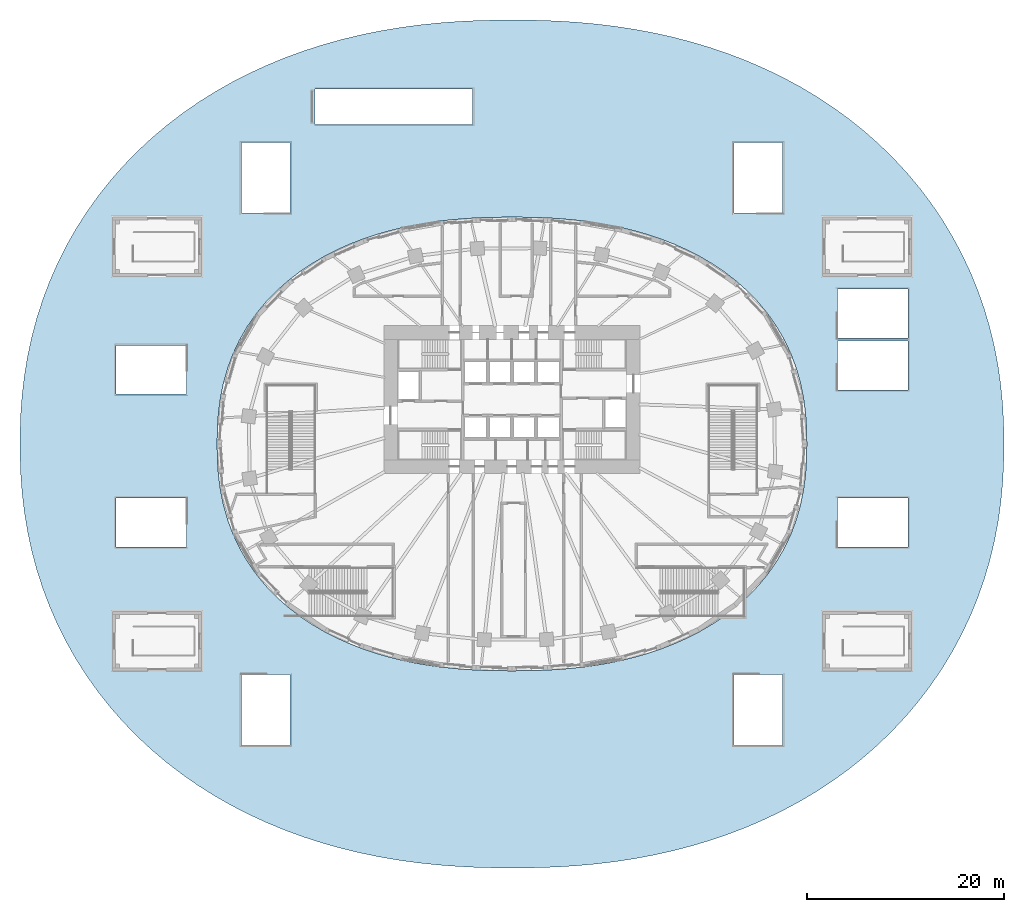
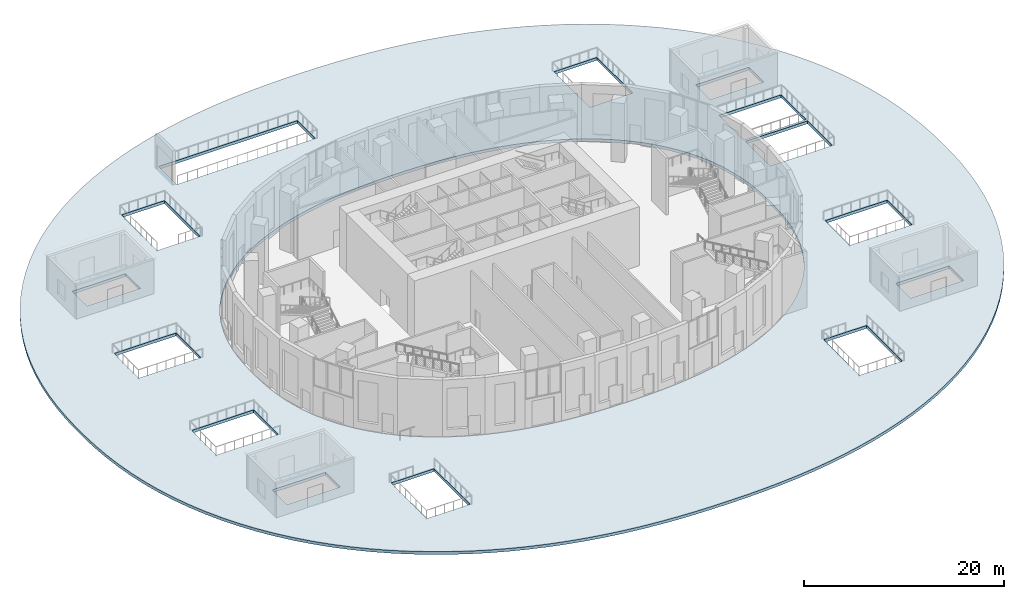
# One storey, part 9 of 27: 1 slab.
"""IFC4 building model written with IfcOpenShell, lengths in metres."""

import ifcopenshell
import ifcopenshell.guid

model = None  # the IFC model being written
_history = None  # IfcOwnerHistory: only IFC2X3 demands one
_inside = {}  # id of a spatial element -> (the spatial element, [elements in it])
_under = {}  # id of a project, library or spatial element -> (it, [spatial elements below it])
_declared = {}  # id of a project -> (the project, [libraries it declares])
_typed = {}  # id of a type object -> (the type object, [elements of that type])
_made_of = {}  # id of a material, layer set ... -> (it, [elements and type objects made of it])


def new_model(schema):
    """Start an empty IFC model of exactly this schema.

    Asked for "IFC4X3", IfcOpenShell would pick the latest addendum, in which some entities
    have other attributes; the version numbers below select the first issue.
    IFC2X3 requires an IfcOwnerHistory on every rooted entity: one is made here for all.
    """
    global model, _history
    if schema == "IFC4X3":
        model = ifcopenshell.file(schema_version=(4, 3, 0, 0))
    else:
        model = ifcopenshell.file(schema=schema)
    _inside.clear()
    _under.clear()
    _declared.clear()
    _typed.clear()
    _made_of.clear()
    _history = None
    if model.schema == "IFC2X3":
        org = make("IfcOrganization", Name="unknown")
        user = make(
            "IfcPersonAndOrganization",
            ThePerson=make("IfcPerson", FamilyName="unknown"),
            TheOrganization=org,
        )
        app = make(
            "IfcApplication",
            ApplicationDeveloper=org,
            Version="unknown",
            ApplicationFullName="unknown",
            ApplicationIdentifier="unknown",
        )
        _history = make(
            "IfcOwnerHistory",
            OwningUser=user,
            OwningApplication=app,
            ChangeAction="ADDED",
            CreationDate=0,
        )
    return model


def make(cls, **values):
    """One entity of the class cls with the attributes given. An attribute that is None is left unset."""
    return model.create_entity(
        cls, **{name: value for name, value in values.items() if value is not None}
    )


def rooted(cls, **values):
    """An entity with a GlobalId (a new one), such as an element, a storey or a relation."""
    return make(cls, GlobalId=ifcopenshell.guid.new(), OwnerHistory=_history, **values)


def si_unit(unit_type, name, prefix=None):
    """IfcSIUnit, for example si_unit("LENGTHUNIT", "METRE", prefix="MILLI")."""
    return make("IfcSIUnit", UnitType=unit_type, Prefix=prefix, Name=name)


def assignment(units):
    """IfcUnitAssignment: the units of a project."""
    return None if units is None else make("IfcUnitAssignment", Units=units)


def point(xyz):
    """IfcCartesianPoint."""
    return None if xyz is None else make("IfcCartesianPoint", Coordinates=xyz)


def direction(xyz):
    """IfcDirection."""
    return None if xyz is None else make("IfcDirection", DirectionRatios=xyz)


def frame(location, z_axis=None, x_axis=None):
    """IfcAxis2Placement3D, a coordinate frame: its origin and axes. An axis left out is left unset."""
    return make(
        "IfcAxis2Placement3D",
        Location=point(location),
        Axis=direction(z_axis),
        RefDirection=direction(x_axis),
    )


def origin():
    """The frame at (0, 0, 0) with its axes left unset."""
    return frame((0.0, 0.0, 0.0))


def place(relative_to, where):
    """IfcLocalPlacement: puts the frame where relative to a parent placement (None: the world)."""
    return make(
        "IfcLocalPlacement", PlacementRelTo=relative_to, RelativePlacement=where
    )


def context(
    kind, dimensions, precision=None, world=None, true_north=None, identifier=None
):
    """IfcGeometricRepresentationContext, for example the 3D "Model" context."""
    return make(
        "IfcGeometricRepresentationContext",
        ContextIdentifier=identifier,
        ContextType=kind,
        CoordinateSpaceDimension=dimensions,
        Precision=precision,
        WorldCoordinateSystem=world,
        TrueNorth=true_north,
    )


def subcontext(parent, identifier, kind, view, scale=None):
    """IfcGeometricRepresentationSubContext, for example "Body" below "Model"."""
    return make(
        "IfcGeometricRepresentationSubContext",
        ContextIdentifier=identifier,
        ContextType=kind,
        ParentContext=parent,
        TargetScale=scale,
        TargetView=view,
    )


def project(units=None, contexts=None):
    """IfcProject with its units and contexts."""
    return rooted(
        "IfcProject",
        Name="project",
        RepresentationContexts=contexts,
        UnitsInContext=assignment(units),
    )


def spatial(cls, under=None, at=None, **own):
    """A site, building, storey or space (cls), placed at a placement, below another one or the project."""
    s = rooted(cls, ObjectPlacement=at, **own)
    if under is not None:
        _under.setdefault(under.id(), (under, []))[1].append(s)
    return s


def polyline(points):
    """IfcPolyline through the points."""
    return make("IfcPolyline", Points=[point(p) for p in points])


def outline(outer, holes=None, kind="AREA"):
    """IfcArbitraryClosedProfileDef: a profile drawn as a closed curve; with holes, ...WithVoids."""
    if holes is None:
        return make("IfcArbitraryClosedProfileDef", ProfileType=kind, OuterCurve=outer)
    return make(
        "IfcArbitraryProfileDefWithVoids",
        ProfileType=kind,
        OuterCurve=outer,
        InnerCurves=holes,
    )


def extrude(swept, where, along, depth):
    """IfcExtrudedAreaSolid: the profile swept, set in the frame where, extruded along a direction by depth."""
    return make(
        "IfcExtrudedAreaSolid",
        SweptArea=swept,
        Position=where,
        ExtrudedDirection=direction(along),
        Depth=depth,
    )


def shape(context_of_items, identifier, shape_type, items):
    """IfcShapeRepresentation: the items that make up one representation, for example the "Body"."""
    return make(
        "IfcShapeRepresentation",
        ContextOfItems=context_of_items,
        RepresentationIdentifier=identifier,
        RepresentationType=shape_type,
        Items=items,
    )


def material(Name=None, Category=None):
    """IfcMaterial."""
    return make("IfcMaterial", Name=Name, Category=Category)


def layer(
    of_material, thickness, ventilated=None, Name=None, Category=None, Priority=None
):
    """IfcMaterialLayer: one layer of a wall or slab, of a material (None: an air gap)."""
    return make(
        "IfcMaterialLayer",
        Material=of_material,
        LayerThickness=thickness,
        IsVentilated=ventilated,
        Name=Name,
        Category=Category,
        Priority=Priority,
    )


def layer_set(layers, Name=None):
    """IfcMaterialLayerSet."""
    return make("IfcMaterialLayerSet", MaterialLayers=layers, LayerSetName=Name)


def made_of(thing, what):
    """Note that an element or type object is made of a material, layer set ...; save() writes the relation."""
    if what is not None:
        _made_of.setdefault(what.id(), (what, []))[1].append(thing)
    return thing


def type_object(cls, material=None, **own):
    """A type object (cls), such as IfcWallType, which elements share."""
    return made_of(rooted(cls, **own), material)


def element(
    cls,
    number,
    at=None,
    inside=None,
    cuts=None,
    type_object=None,
    material=None,
    context=None,
    identifier="Body",
    shape_type=None,
    held_by="IfcProductDefinitionShape",
    body=None,
    shapes=None,
    **own,
):
    """One element of the class cls, such as IfcWall. Its Tag is "e" and its number.

    at: its placement. inside: the storey or other place that contains it. cuts: it is an
    opening in that element (IfcRelVoidsElement). A single representation is given by context,
    identifier, shape_type and body (its items); several are given by shapes. held_by: the class
    of the entity that holds the representations. save() writes the other relations.
    """
    e = rooted(cls, Tag="e%d" % number, ObjectPlacement=at, **own)
    if body is not None:
        shapes = [shape(context, identifier, shape_type, body)]
    if shapes is not None:
        e.Representation = make(held_by, Representations=shapes)
    if inside is not None:
        _inside.setdefault(inside.id(), (inside, []))[1].append(e)
    if cuts is not None:
        rooted(
            "IfcRelVoidsElement", RelatingBuildingElement=cuts, RelatedOpeningElement=e
        )
    if type_object is not None:
        _typed.setdefault(type_object.id(), (type_object, []))[1].append(e)
    return made_of(e, material)


def aggregate(whole, parts):
    """IfcRelAggregates: a whole, such as a stair, and the parts it consists of."""
    return rooted("IfcRelAggregates", RelatingObject=whole, RelatedObjects=parts)


def save(model, path):
    """Write the relations noted so far, then the file.

    IfcRelAggregates (storeys below a building ...), IfcRelContainedInSpatialStructure (elements
    in a storey), IfcRelDefinesByType, IfcRelAssociatesMaterial and IfcRelDeclares: one each for
    every whole, place, type object, material and project.
    """
    for whole, parts in _under.values():
        aggregate(whole, parts)
    for where, things in _inside.values():
        rooted(
            "IfcRelContainedInSpatialStructure",
            RelatedElements=things,
            RelatingStructure=where,
        )
    for kind, things in _typed.values():
        rooted("IfcRelDefinesByType", RelatedObjects=things, RelatingType=kind)
    for what, things in _made_of.values():
        rooted("IfcRelAssociatesMaterial", RelatedObjects=things, RelatingMaterial=what)
    for by, libraries in _declared.values():
        rooted("IfcRelDeclares", RelatingContext=by, RelatedDefinitions=libraries)
    model.write(path)


model = new_model("IFC4")

# Units and contexts
model_context = context("Model", 3, precision=1e-05, world=origin(), true_north=direction((0.0, 1.0)))
body_context = subcontext(model_context, "Body", "Model", "MODEL_VIEW")
ifc_project = project(units=[si_unit("LENGTHUNIT", "METRE"), si_unit("AREAUNIT", "SQUARE_METRE"), si_unit("VOLUMEUNIT", "CUBIC_METRE"), si_unit("PLANEANGLEUNIT", "RADIAN"), si_unit("MASSUNIT", "GRAM", prefix="KILO")], contexts=[model_context])

# Site, building, storey
site_placement = place(None, origin())
site = spatial("IfcSite", under=ifc_project, at=site_placement, CompositionType="ELEMENT")
building_placement = place(site_placement, origin())
building = spatial("IfcBuilding", under=site, at=building_placement, Name="Rubra Terraces Tower", CompositionType="ELEMENT")
storey_placement = place(building_placement, origin())
storey = spatial("IfcBuildingStorey", under=building, at=storey_placement, Name="L00", CompositionType="ELEMENT", Elevation=0.0)

# Slab
ifc_material = material(Name="Concrete C40", Category="concrete")
ifc_layer = layer(ifc_material, 0.35009765625)
ifc_layer_set = layer_set([ifc_layer], Name="Concrete C40")
slab_type = type_object("IfcSlabType", Name="FLOOR SLAB 350 COMPOSITE", PredefinedType="FLOOR", material=ifc_layer_set)
slab_placement = place(storey_placement, frame((0.0, 0.0, -0.35009765625)))
element("IfcSlab", 1, at=slab_placement, inside=storey, type_object=slab_type, Name="PLAZA SLAB L00", PredefinedType="FLOOR", context=body_context, shape_type="SweptSolid", body=[
    extrude(outline(polyline([(38.708984375, -28.9609375), (40.06298828125, -27.4990234375), (41.342041015625, -25.970947265625), (42.541015625, -24.3798828125), (43.656982421875, -22.72998046875), (44.68701171875, -21.02490234375), (45.6279296875, -19.26806640625), (46.47705078125, -17.466064453125), (47.23193359375, -15.6220703125), (47.89208984375, -13.741943359375), (48.4560546875, -11.8310546875), (48.924072265625, -9.89501953125), (49.297119140625, -7.93798828125), (49.575927734375, -5.965087890625), (49.76611328125, -3.98193359375), (49.87109375, -1.991943359375), (49.89990234375, 0.0), (49.87109375, 1.991943359375), (49.76611328125, 3.98193359375), (49.575927734375, 5.965087890625), (49.297119140625, 7.93798828125), (48.924072265625, 9.89501953125), (48.4560546875, 11.8310546875), (47.89208984375, 13.741943359375), (47.23193359375, 15.6220703125), (46.47705078125, 17.466064453125), (45.6279296875, 19.26806640625), (44.68701171875, 21.02490234375), (43.656982421875, 22.72998046875), (42.541015625, 24.3798828125), (41.342041015625, 25.970947265625), (40.06298828125, 27.4990234375), (38.708984375, 28.9609375), (37.284912109375, 30.35400390625), (35.7939453125, 31.675048828125), (34.241943359375, 32.924072265625), (32.632080078125, 34.097900390625), (30.969970703125, 35.196044921875), (29.259033203125, 36.218017578125), (27.506103515625, 37.1640625), (25.712890625, 38.033935546875), (23.885986328125, 38.827880859375), (22.028076171875, 39.547119140625), (20.14306640625, 40.19189453125), (18.23388671875, 40.764892578125), (16.305908203125, 41.26708984375), (14.361083984375, 41.698974609375), (12.403076171875, 42.06494140625), (10.43310546875, 42.364990234375), (8.455078125, 42.60302734375), (6.469970703125, 42.781982421875), (4.48193359375, 42.904052734375), (2.489990234375, 42.97412109375), (0.498046875, 42.9990234375), (-1.493896484375, 42.991943359375), (-3.486083984375, 42.945068359375), (-5.47607421875, 42.84912109375), (-7.462890625, 42.699951171875), (-9.445068359375, 42.491943359375), (-11.4189453125, 42.222900390625), (-13.384033203125, 41.889892578125), (-15.3359375, 41.491943359375), (-17.27294921875, 41.02490234375), (-19.19091796875, 40.488037109375), (-21.087890625, 39.87890625), (-22.9599609375, 39.197021484375), (-24.803955078125, 38.43994140625), (-26.614013671875, 37.60888671875), (-28.387939453125, 36.700927734375), (-30.1201171875, 35.717041015625), (-31.806884765625, 34.656982421875), (-33.443115234375, 33.52001953125), (-35.02490234375, 32.30908203125), (-36.548095703125, 31.02392578125), (-38.006103515625, 29.666015625), (-39.39501953125, 28.238037109375), (-40.7119140625, 26.742919921875), (-41.950927734375, 25.18310546875), (-43.110107421875, 23.56201171875), (-44.18310546875, 21.884033203125), (-45.1689453125, 20.153076171875), (-46.06396484375, 18.373046875), (-46.865966796875, 16.549072265625), (-47.573974609375, 14.68603515625), (-48.18603515625, 12.7900390625), (-48.701904296875, 10.865966796875), (-49.1220703125, 8.9189453125), (-49.447998046875, 6.952880859375), (-49.681884765625, 4.97509765625), (-49.827880859375, 2.988037109375), (-49.89404296875, 0.99609375), (-49.89404296875, -0.99609375), (-49.827880859375, -2.988037109375), (-49.681884765625, -4.97509765625), (-49.447998046875, -6.952880859375), (-49.1220703125, -8.9189453125), (-48.701904296875, -10.865966796875), (-48.18603515625, -12.7900390625), (-47.573974609375, -14.68603515625), (-46.865966796875, -16.549072265625), (-46.06396484375, -18.373046875), (-45.1689453125, -20.153076171875), (-44.18310546875, -21.884033203125), (-43.110107421875, -23.56201171875), (-41.950927734375, -25.18310546875), (-40.7119140625, -26.742919921875), (-39.39501953125, -28.238037109375), (-38.006103515625, -29.666015625), (-36.548095703125, -31.02392578125), (-35.02490234375, -32.30908203125), (-33.443115234375, -33.52001953125), (-31.806884765625, -34.656982421875), (-30.1201171875, -35.717041015625), (-28.387939453125, -36.700927734375), (-26.614013671875, -37.60888671875), (-24.803955078125, -38.43994140625), (-22.9599609375, -39.197021484375), (-21.087890625, -39.87890625), (-19.19091796875, -40.488037109375), (-17.27294921875, -41.02490234375), (-15.3359375, -41.491943359375), (-13.384033203125, -41.889892578125), (-11.4189453125, -42.222900390625), (-9.445068359375, -42.491943359375), (-7.462890625, -42.699951171875), (-5.47607421875, -42.84912109375), (-3.486083984375, -42.945068359375), (-1.493896484375, -42.991943359375), (0.498046875, -42.9990234375), (2.489990234375, -42.97412109375), (4.48193359375, -42.904052734375), (6.469970703125, -42.781982421875), (8.455078125, -42.60302734375), (10.43310546875, -42.364990234375), (12.403076171875, -42.06494140625), (14.361083984375, -41.698974609375), (16.305908203125, -41.26708984375), (18.23388671875, -40.764892578125), (20.14306640625, -40.19189453125), (22.028076171875, -39.547119140625), (23.885986328125, -38.827880859375), (25.712890625, -38.033935546875), (27.506103515625, -37.1640625), (29.259033203125, -36.218017578125), (30.969970703125, -35.196044921875), (32.632080078125, -34.097900390625), (34.241943359375, -32.924072265625), (35.7939453125, -31.675048828125), (37.284912109375, -30.35400390625), (38.708984375, -28.9609375)]), holes=[polyline([(17.7490234375, 19.679931640625), (19.02587890625, 19.02587890625), (20.31591796875, 18.27001953125), (21.555908203125, 17.43505859375), (22.739013671875, 16.52099609375), (23.885009765625, 15.5), (24.951904296875, 14.39501953125), (25.929931640625, 13.2119140625), (26.820068359375, 11.93603515625), (27.60205078125, 10.591064453125), (28.26806640625, 9.18505859375), (28.819091796875, 7.719970703125), (29.25, 6.216064453125), (29.56298828125, 4.681884765625), (29.76708984375, 3.12890625), (29.873046875, 1.56591796875), (29.89990234375, 0.0), (29.873046875, -1.56591796875), (29.76708984375, -3.12890625), (29.56298828125, -4.681884765625), (29.25, -6.216064453125), (28.819091796875, -7.719970703125), (28.26806640625, -9.18505859375), (27.60205078125, -10.591064453125), (26.820068359375, -11.93603515625), (25.929931640625, -13.2119140625), (24.951904296875, -14.39501953125), (23.885009765625, -15.5), (22.739013671875, -16.52099609375), (21.555908203125, -17.43505859375), (20.31591796875, -18.27001953125), (19.02587890625, -19.02587890625), (17.7490234375, -19.679931640625), (16.43896484375, -20.264892578125), (15.10107421875, -20.784912109375), (13.80810546875, -21.219970703125), (12.4970703125, -21.60009765625), (11.173095703125, -21.927978515625), (9.904052734375, -22.194091796875), (8.626953125, -22.4169921875), (7.343017578125, -22.60009765625), (6.10791015625, -22.739013671875), (4.87109375, -22.844970703125), (3.6298828125, -22.922119140625), (2.4208984375, -22.968994140625), (1.2109375, -22.993896484375), (0.0, -23.0), (-1.2109375, -22.993896484375), (-2.4208984375, -22.968994140625), (-3.6298828125, -22.922119140625), (-4.87109375, -22.844970703125), (-6.10791015625, -22.739013671875), (-7.343017578125, -22.60009765625), (-8.626953125, -22.4169921875), (-9.904052734375, -22.194091796875), (-11.173095703125, -21.927978515625), (-12.4970703125, -21.60009765625), (-13.80810546875, -21.219970703125), (-15.10107421875, -20.784912109375), (-16.43896484375, -20.264892578125), (-17.7490234375, -19.679931640625), (-19.02587890625, -19.02587890625), (-20.31591796875, -18.27001953125), (-21.555908203125, -17.43505859375), (-22.739013671875, -16.52099609375), (-23.885009765625, -15.5), (-24.951904296875, -14.39501953125), (-25.929931640625, -13.2119140625), (-26.820068359375, -11.93603515625), (-27.60205078125, -10.591064453125), (-28.26806640625, -9.18505859375), (-28.819091796875, -7.719970703125), (-29.25, -6.216064453125), (-29.56298828125, -4.681884765625), (-29.76708984375, -3.12890625), (-29.873046875, -1.56591796875), (-29.89990234375, 0.0), (-29.873046875, 1.56591796875), (-29.76708984375, 3.12890625), (-29.56298828125, 4.681884765625), (-29.25, 6.216064453125), (-28.819091796875, 7.719970703125), (-28.26806640625, 9.18505859375), (-27.60205078125, 10.591064453125), (-26.820068359375, 11.93603515625), (-25.929931640625, 13.2119140625), (-24.951904296875, 14.39501953125), (-23.885009765625, 15.5), (-22.739013671875, 16.52099609375), (-21.555908203125, 17.43505859375), (-20.31591796875, 18.27001953125), (-19.02587890625, 19.02587890625), (-17.7490234375, 19.679931640625), (-16.43896484375, 20.264892578125), (-15.10107421875, 20.784912109375), (-13.80810546875, 21.219970703125), (-12.4970703125, 21.60009765625), (-11.173095703125, 21.927978515625), (-9.904052734375, 22.194091796875), (-8.626953125, 22.4169921875), (-7.343017578125, 22.60009765625), (-6.10791015625, 22.739013671875), (-4.87109375, 22.844970703125), (-3.6298828125, 22.922119140625), (-2.4208984375, 22.968994140625), (-1.2109375, 22.993896484375), (0.0, 23.0), (1.2109375, 22.993896484375), (2.4208984375, 22.968994140625), (3.6298828125, 22.922119140625), (4.87109375, 22.844970703125), (6.10791015625, 22.739013671875), (7.343017578125, 22.60009765625), (8.626953125, 22.4169921875), (9.904052734375, 22.194091796875), (11.173095703125, 21.927978515625), (12.4970703125, 21.60009765625), (13.80810546875, 21.219970703125), (15.10107421875, 20.784912109375), (16.43896484375, 20.264892578125), (17.7490234375, 19.679931640625)]), polyline([(39.780029296875, 21.47509765625), (39.780029296875, 18.52490234375), (33.6201171875, 18.52490234375), (33.6201171875, 21.47509765625), (39.780029296875, 21.47509765625)]), polyline([(-32.219970703125, 18.52490234375), (-38.3798828125, 18.52490234375), (-38.3798828125, 21.47509765625), (-32.219970703125, 21.47509765625), (-32.219970703125, 18.52490234375)]), polyline([(-38.3798828125, -21.47509765625), (-38.3798828125, -18.52490234375), (-32.219970703125, -18.52490234375), (-32.219970703125, -21.47509765625), (-38.3798828125, -21.47509765625)]), polyline([(33.6201171875, -18.52490234375), (39.780029296875, -18.52490234375), (39.780029296875, -21.47509765625), (33.6201171875, -21.47509765625), (33.6201171875, -18.52490234375)]), polyline([(40.159912109375, 10.449951171875), (40.159912109375, 5.5), (33.0009765625, 5.5), (33.0009765625, 10.449951171875), (40.159912109375, 10.449951171875)]), polyline([(40.159912109375, -10.449951171875), (33.0009765625, -10.449951171875), (33.0009765625, -5.5), (40.159912109375, -5.5), (40.159912109375, -10.449951171875)]), polyline([(-33.0009765625, 10.0), (-33.0009765625, 5.050048828125), (-40.159912109375, 5.050048828125), (-40.159912109375, 10.0), (-33.0009765625, 10.0)]), polyline([(-33.0009765625, -10.449951171875), (-40.159912109375, -10.449951171875), (-40.159912109375, -5.5), (-33.0009765625, -5.5), (-33.0009765625, -10.449951171875)]), polyline([(-27.449951171875, 30.56005859375), (-22.5, 30.56005859375), (-22.5, 23.40087890625), (-27.449951171875, 23.40087890625), (-27.449951171875, 30.56005859375)]), polyline([(27.449951171875, 30.56005859375), (27.449951171875, 23.40087890625), (22.5, 23.40087890625), (22.5, 30.56005859375), (27.449951171875, 30.56005859375)]), polyline([(22.5, -23.40087890625), (27.449951171875, -23.40087890625), (27.449951171875, -30.56005859375), (22.5, -30.56005859375), (22.5, -23.40087890625)]), polyline([(-22.5, -23.40087890625), (-22.5, -30.56005859375), (-27.449951171875, -30.56005859375), (-27.449951171875, -23.40087890625), (-22.5, -23.40087890625)]), polyline([(40.159912109375, 15.699951171875), (40.159912109375, 10.75), (33.0009765625, 10.75), (33.0009765625, 15.699951171875), (40.159912109375, 15.699951171875)]), polyline([(-20.0, 36.0), (-4.0, 36.0), (-4.0, 32.39990234375), (-20.0, 32.39990234375), (-20.0, 36.0)])]), origin(), (0.0, 0.0, 1.0), 0.35009765625),
])

save(model, "model.ifc")
